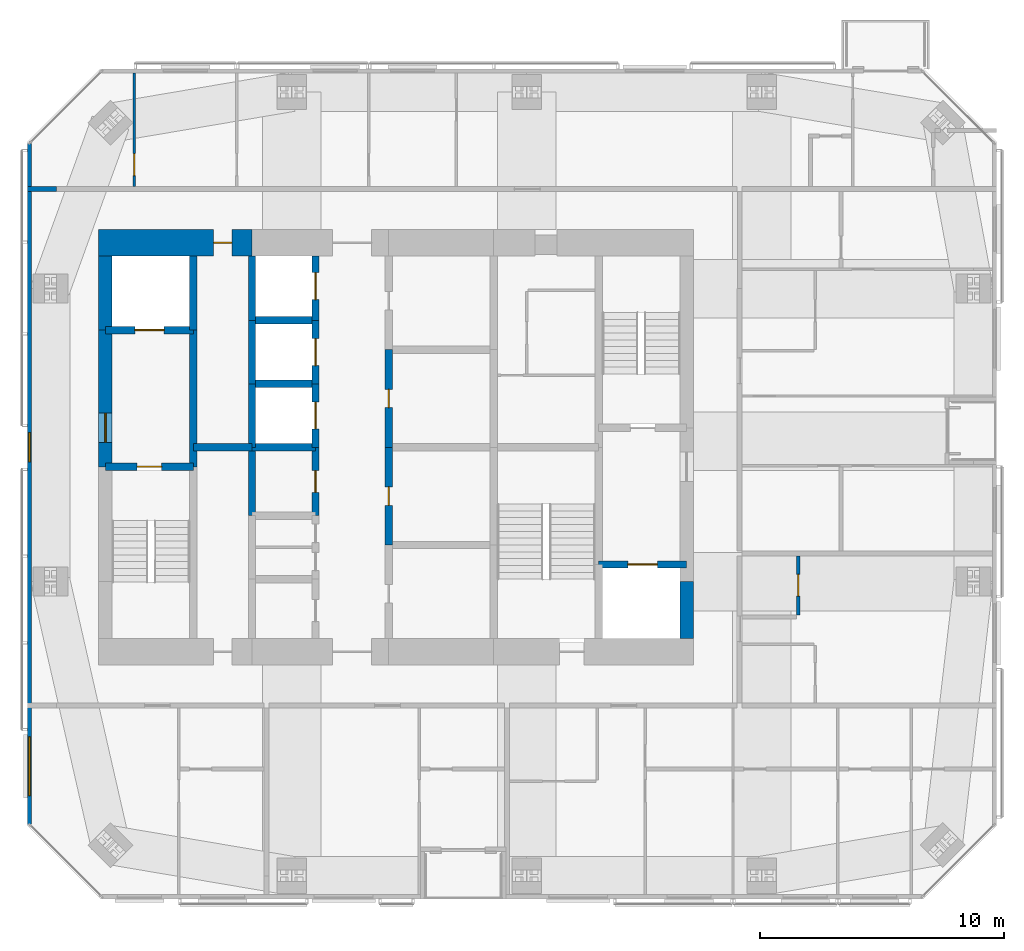
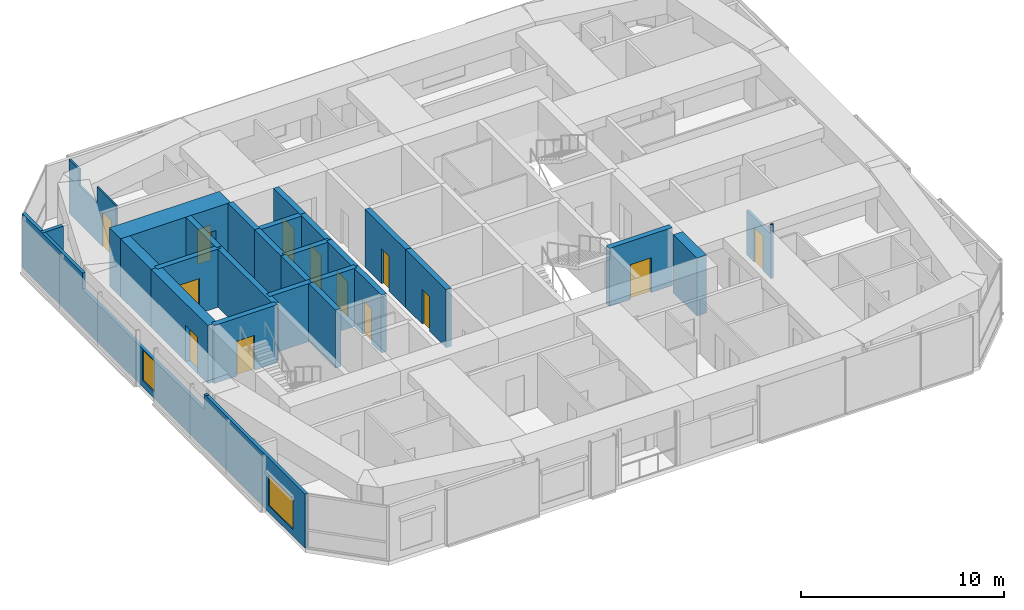
# One storey, part 16 of 20: 27 walls, 13 doors, 2 windows, 15 openings.
"""IFC4 building model written with IfcOpenShell, lengths in metres."""

from ifc_helpers import new_model, si_unit, direction, frame, frame_2d, origin, place, context, subcontext, project, spatial, polyline, rectangle, outline, extrude, material, layer, layer_set, constituent, constituent_set, type_object, element, fill, save


model = new_model("IFC4")

# Units and contexts
model_context = context("Model", 3, precision=1e-05, world=origin(), true_north=direction((0.0, 1.0)))
body_context = subcontext(model_context, "Body", "Model", "MODEL_VIEW")
ifc_project = project(units=[si_unit("LENGTHUNIT", "METRE"), si_unit("AREAUNIT", "SQUARE_METRE"), si_unit("VOLUMEUNIT", "CUBIC_METRE"), si_unit("PLANEANGLEUNIT", "RADIAN"), si_unit("MASSUNIT", "GRAM", prefix="KILO")], contexts=[model_context])

# Site, building, storey
site_placement = place(None, origin())
site = spatial("IfcSite", under=ifc_project, at=site_placement, CompositionType="ELEMENT")
building_placement = place(site_placement, origin())
building = spatial("IfcBuilding", under=site, at=building_placement, Name="Jalousie Tower", CompositionType="ELEMENT")
storey_placement = place(building_placement, frame((0.0, 0.0, 245.949951171875)))
storey = spatial("IfcBuildingStorey", under=building, at=storey_placement, Name="L67", CompositionType="ELEMENT", Elevation=245.949951171875)

# Wall, opening, door
ifc_material_1 = material(Name="Concrete block ASTM C90", Category="concrete")
ifc_constituent_1 = constituent(ifc_material_1, Name="Body")
ifc_material_2 = material(Name="Render")
ifc_constituent_2 = constituent(ifc_material_2, Name="Finish")
ifc_constituent_set_1 = constituent_set(constituents=[ifc_constituent_1, ifc_constituent_2])
wall_type_1 = type_object("IfcWallType", Name="BATHROOM WALL 150", PredefinedType="PLUMBINGWALL", material=ifc_constituent_set_1)
wall_1_placement = place(storey_placement, frame((48.375, 11.625, 0.0), z_axis=(0.0, 0.0, 1.0), x_axis=(0.0, 1.0, 0.0)))
wall_1 = element("IfcWall", 1, at=wall_1_placement, inside=storey, type_object=wall_type_1, Name="Bathroom Wall 150 L67", PredefinedType="PLUMBINGWALL", context=body_context, shape_type="SweptSolid", body=[
    extrude(outline(polyline([(0.0, 0.0), (2.425048828125, 0.0), (2.425048828125, 3.260009765625), (2.425048828125, 2.66015625), (0.090087890625, 2.66015625), (0.090087890625, 3.260009765625), (0.0, 3.260009765625), (0.0, 0.0)])), frame((0.0, 0.074951171875, 0.0), z_axis=(0.0, -1.0, 0.0), x_axis=(1.0, 0.0, 0.0)), (0.0, 0.0, 1.0), 0.14990234375),
])
opening_1_placement = place(wall_1_placement, frame((0.77490234375, 0.0, 0.0)))
opening_1 = element("IfcOpeningElement", 2, at=opening_1_placement, cuts=wall_1, Name="Opening D3", PredefinedType="OPENING", context=body_context, shape_type="SweptSolid", body=[
    extrude(rectangle(XDim=0.89990234375, YDim=2.10009765625, at=frame_2d((0.449951171875, 1.050048828125))), frame((0.0, 0.0849609375, 0.0), z_axis=(0.0, -1.0, 0.0), x_axis=(1.0, 0.0, 0.0)), (0.0, 0.0, 1.0), 0.169921875),
])
ifc_material_3 = material(Name="Timber door", Category="wood")
door_type_1 = type_object("IfcDoorType", Name="BATHROOM DOOR 900", OperationType="SINGLE_SWING_LEFT", PredefinedType="DOOR", material=ifc_material_3)
door_1_placement = place(opening_1_placement, origin())
door_1 = element("IfcDoor", 3, at=door_1_placement, inside=storey, type_object=door_type_1, Name="Apartment 6705 bathroom door", OperationType="SINGLE_SWING_RIGHT", OverallHeight=2.10009765625, OverallWidth=0.89990234375, PredefinedType="DOOR", context=body_context, shape_type="SweptSolid", body=[
    extrude(rectangle(XDim=0.89990234375, YDim=2.10009765625, at=frame_2d((0.449951171875, 1.050048828125))), frame((0.0, 0.02490234375, 0.0), z_axis=(0.0, -1.0, 0.0), x_axis=(1.0, 0.0, 0.0)), (0.0, 0.0, 1.0), 0.050048828125),
])
fill(opening_1, door_1)

ifc_material_4 = material(Name="Concrete f'c 120 MPa", Category="concrete")
ifc_layer_1 = layer(ifc_material_4, 1.10009765625)
ifc_layer_set_1 = layer_set([ifc_layer_1], Name="Concrete f'c 120 MPa")
wall_type_2 = type_object("IfcWallType", Name="CORE WALL 1100", PredefinedType="SHEAR", material=ifc_layer_set_1)
wall_2_placement = place(storey_placement, frame((26.0, 26.875, 0.0), z_axis=(0.0, 0.0, 1.0), x_axis=(-1.0, 0.0, 0.0)))
wall_2 = element("IfcWall", 4, at=wall_2_placement, inside=storey, type_object=wall_type_2, Name="Core wall ND L67", PredefinedType="SHEAR", context=body_context, shape_type="SweptSolid", body=[
    extrude(rectangle(XDim=6.27490234375, YDim=1.10009765625, at=frame_2d((3.137451171875, 0.0))), origin(), (0.0, 0.0, 1.0), 3.5),
])
opening_2_placement = place(wall_2_placement, frame((0.824951171875, 0.0, 0.0)))
opening_2 = element("IfcOpeningElement", 5, at=opening_2_placement, cuts=wall_2, Name="Opening D16", PredefinedType="OPENING", context=body_context, shape_type="SweptSolid", body=[
    extrude(rectangle(XDim=0.75, YDim=2.10009765625, at=frame_2d((0.375, 1.050048828125))), frame((0.0, 0.56005859375, 0.0), z_axis=(0.0, -1.0, 0.0), x_axis=(1.0, 0.0, 0.0)), (0.0, 0.0, 1.0), 1.1201171875),
])
ifc_material_5 = material(Name="Steel fire door", Category="steel")
door_type_2 = type_object("IfcDoorType", Name="RISER DOOR 750", OperationType="SINGLE_SWING_LEFT", PredefinedType="DOOR", material=ifc_material_5)
door_2_placement = place(opening_2_placement, origin())
door_2 = element("IfcDoor", 6, at=door_2_placement, inside=storey, type_object=door_type_2, Name="North riser door", OperationType="SINGLE_SWING_RIGHT", OverallHeight=2.10009765625, OverallWidth=0.75, PredefinedType="DOOR", context=body_context, shape_type="SweptSolid", body=[
    extrude(rectangle(XDim=0.75, YDim=2.10009765625, at=frame_2d((0.375, 1.050048828125))), frame((0.0, 0.02490234375, 0.0), z_axis=(0.0, -1.0, 0.0), x_axis=(1.0, 0.0, 0.0)), (0.0, 0.0, 1.0), 0.050048828125),
])
fill(opening_2, door_2)

# Walls
ifc_material_6 = material(Name="Concrete f'c 120 MPa", Category="concrete")
ifc_layer_2 = layer(ifc_material_6, 0.300048828125)
ifc_layer_set_2 = layer_set([ifc_layer_2], Name="Concrete f'c 120 MPa")
wall_type_3 = type_object("IfcWallType", Name="CORE WALL 300", PredefinedType="SHEAR", material=ifc_layer_set_2)
wall_3_placement = place(storey_placement, frame((23.60009765625, 17.699951171875, 0.0), z_axis=(0.0, 0.0, 1.0), x_axis=(0.0, 1.0, 0.0)))
element("IfcWall", 7, at=wall_3_placement, inside=storey, type_object=wall_type_3, Name="Core wall X23.6B L67", PredefinedType="SHEAR", context=body_context, shape_type="SweptSolid", body=[
    extrude(rectangle(XDim=5.60009765625, YDim=0.300048828125, at=frame_2d((2.800048828125, 0.0))), origin(), (0.0, 0.0, 1.0), 3.5),
])
wall_4_placement = place(storey_placement, frame((23.60009765625, 23.300048828125, 0.0), z_axis=(0.0, 0.0, 1.0), x_axis=(0.0, 1.0, 0.0)))
element("IfcWall", 8, at=wall_4_placement, inside=storey, type_object=wall_type_3, Name="Core wall X23.6C L67", PredefinedType="SHEAR", context=body_context, shape_type="SweptSolid", body=[
    extrude(rectangle(XDim=3.02490234375, YDim=0.300048828125, at=frame_2d((1.512451171875, 0.0))), origin(), (0.0, 0.0, 1.0), 3.5),
])
wall_5_placement = place(storey_placement, frame((26.0, 15.699951171875, 0.0), z_axis=(0.0, 0.0, 1.0), x_axis=(0.0, 1.0, 0.0)))
element("IfcWall", 9, at=wall_5_placement, inside=storey, type_object=wall_type_3, Name="Core wall X26C L67", PredefinedType="SHEAR", context=body_context, shape_type="SweptSolid", body=[
    extrude(rectangle(XDim=2.800048828125, YDim=0.300048828125, at=frame_2d((1.39990234375, 0.0))), origin(), (0.0, 0.0, 1.0), 3.5),
])
wall_6_placement = place(storey_placement, frame((26.0, 18.5, 0.0), z_axis=(0.0, 0.0, 1.0), x_axis=(0.0, 1.0, 0.0)))
element("IfcWall", 10, at=wall_6_placement, inside=storey, type_object=wall_type_3, Name="Core wall X26D L67", PredefinedType="SHEAR", context=body_context, shape_type="SweptSolid", body=[
    extrude(rectangle(XDim=2.60009765625, YDim=0.300048828125, at=frame_2d((1.300048828125, 0.0))), origin(), (0.0, 0.0, 1.0), 3.5),
])
wall_7_placement = place(storey_placement, frame((26.0, 21.10009765625, 0.0), z_axis=(0.0, 0.0, 1.0), x_axis=(0.0, 1.0, 0.0)))
element("IfcWall", 11, at=wall_7_placement, inside=storey, type_object=wall_type_3, Name="Core wall X26E L67", PredefinedType="SHEAR", context=body_context, shape_type="SweptSolid", body=[
    extrude(rectangle(XDim=2.599853515625, YDim=0.300048828125, at=frame_2d((1.2998046875, 0.0))), origin(), (0.0, 0.0, 1.0), 3.5),
])
wall_8_placement = place(storey_placement, frame((26.0, 23.699951171875, 0.0), z_axis=(0.0, 0.0, 1.0), x_axis=(0.0, 1.0, 0.0)))
element("IfcWall", 12, at=wall_8_placement, inside=storey, type_object=wall_type_3, Name="Core wall X26F L67", PredefinedType="SHEAR", context=body_context, shape_type="SweptSolid", body=[
    extrude(rectangle(XDim=2.625, YDim=0.300048828125, at=frame_2d((1.3125, 0.0))), origin(), (0.0, 0.0, 1.0), 3.5),
])

# Wall, opening, door
wall_9_placement = place(storey_placement, frame((28.60009765625, 15.699951171875, 0.0), z_axis=(0.0, 0.0, 1.0), x_axis=(0.0, 1.0, 0.0)))
wall_9 = element("IfcWall", 13, at=wall_9_placement, inside=storey, type_object=wall_type_3, Name="Core wall X28.6C L67", PredefinedType="SHEAR", context=body_context, shape_type="SweptSolid", body=[
    extrude(rectangle(XDim=2.800048828125, YDim=0.300048828125, at=frame_2d((1.39990234375, 0.0))), origin(), (0.0, 0.0, 1.0), 3.5),
])
opening_3_placement = place(wall_9_placement, frame((0.949951171875, 0.0, 0.0)))
opening_3 = element("IfcOpeningElement", 14, at=opening_3_placement, cuts=wall_9, Name="Opening D24", PredefinedType="OPENING", context=body_context, shape_type="SweptSolid", body=[
    extrude(rectangle(XDim=0.89990234375, YDim=2.10009765625, at=frame_2d((0.449951171875, 1.050048828125))), frame((0.0, 0.159912109375, 0.0), z_axis=(0.0, -1.0, 0.0), x_axis=(1.0, 0.0, 0.0)), (0.0, 0.0, 1.0), 0.320068359375),
])
ifc_material_7 = material(Name="Steel fire door", Category="steel")
door_type_3 = type_object("IfcDoorType", Name="CORE ROOM DOOR 900", OperationType="SINGLE_SWING_LEFT", PredefinedType="DOOR", material=ifc_material_7)
door_3_placement = place(opening_3_placement, origin())
door_3 = element("IfcDoor", 15, at=door_3_placement, inside=storey, type_object=door_type_3, Name="IT room door", OperationType="SINGLE_SWING_LEFT", OverallHeight=2.10009765625, OverallWidth=0.89990234375, PredefinedType="DOOR", context=body_context, shape_type="SweptSolid", body=[
    extrude(rectangle(XDim=0.89990234375, YDim=2.10009765625, at=frame_2d((0.449951171875, 1.050048828125))), frame((0.0, 0.02490234375, 0.0), z_axis=(0.0, -1.0, 0.0), x_axis=(1.0, 0.0, 0.0)), (0.0, 0.0, 1.0), 0.050048828125),
])
fill(opening_3, door_3)

wall_10_placement = place(storey_placement, frame((28.60009765625, 18.5, 0.0), z_axis=(0.0, 0.0, 1.0), x_axis=(0.0, 1.0, 0.0)))
wall_10 = element("IfcWall", 16, at=wall_10_placement, inside=storey, type_object=wall_type_3, Name="Core wall X28.6D L67", PredefinedType="SHEAR", context=body_context, shape_type="SweptSolid", body=[
    extrude(rectangle(XDim=2.60009765625, YDim=0.300048828125, at=frame_2d((1.300048828125, 0.0))), origin(), (0.0, 0.0, 1.0), 3.5),
])
opening_4_placement = place(wall_10_placement, frame((0.75, 0.0, 0.0)))
opening_4 = element("IfcOpeningElement", 17, at=opening_4_placement, cuts=wall_10, Name="Opening LD1", PredefinedType="OPENING", context=body_context, shape_type="SweptSolid", body=[
    extrude(rectangle(XDim=1.10009765625, YDim=2.10009765625, at=frame_2d((0.550048828125, 1.050048828125))), frame((0.0, 0.159912109375, 0.0), z_axis=(0.0, -1.0, 0.0), x_axis=(1.0, 0.0, 0.0)), (0.0, 0.0, 1.0), 0.320068359375),
])
ifc_material_8 = material(Name="Steel lift landing door", Category="steel")
door_type_4 = type_object("IfcDoorType", Name="LIFT LANDING DOOR 1100", OperationType="SLIDING_TO_LEFT", PredefinedType="DOOR", material=ifc_material_8)
door_4_placement = place(opening_4_placement, origin())
door_4 = element("IfcDoor", 18, at=door_4_placement, inside=storey, type_object=door_type_4, Name="Lift P4 landing door", OperationType="SLIDING_TO_LEFT", OverallHeight=2.10009765625, OverallWidth=1.10009765625, PredefinedType="DOOR", context=body_context, shape_type="SweptSolid", body=[
    extrude(rectangle(XDim=1.10009765625, YDim=2.10009765625, at=frame_2d((0.550048828125, 1.050048828125))), frame((0.0, 0.02490234375, 0.0), z_axis=(0.0, -1.0, 0.0), x_axis=(1.0, 0.0, 0.0)), (0.0, 0.0, 1.0), 0.050048828125),
])
fill(opening_4, door_4)

wall_11_placement = place(storey_placement, frame((28.60009765625, 21.10009765625, 0.0), z_axis=(0.0, 0.0, 1.0), x_axis=(0.0, 1.0, 0.0)))
wall_11 = element("IfcWall", 19, at=wall_11_placement, inside=storey, type_object=wall_type_3, Name="Core wall X28.6E L67", PredefinedType="SHEAR", context=body_context, shape_type="SweptSolid", body=[
    extrude(rectangle(XDim=2.599853515625, YDim=0.300048828125, at=frame_2d((1.2998046875, 0.0))), origin(), (0.0, 0.0, 1.0), 3.5),
])
opening_5_placement = place(wall_11_placement, frame((0.75, 0.0, 0.0)))
opening_5 = element("IfcOpeningElement", 20, at=opening_5_placement, cuts=wall_11, Name="Opening LD1", PredefinedType="OPENING", context=body_context, shape_type="SweptSolid", body=[
    extrude(rectangle(XDim=1.10009765625, YDim=2.10009765625, at=frame_2d((0.550048828125, 1.050048828125))), frame((0.0, 0.159912109375, 0.0), z_axis=(0.0, -1.0, 0.0), x_axis=(1.0, 0.0, 0.0)), (0.0, 0.0, 1.0), 0.320068359375),
])
door_5_placement = place(opening_5_placement, origin())
door_5 = element("IfcDoor", 21, at=door_5_placement, inside=storey, type_object=door_type_4, Name="Lift P5 landing door", OperationType="SLIDING_TO_LEFT", OverallHeight=2.10009765625, OverallWidth=1.10009765625, PredefinedType="DOOR", context=body_context, shape_type="SweptSolid", body=[
    extrude(rectangle(XDim=1.10009765625, YDim=2.10009765625, at=frame_2d((0.550048828125, 1.050048828125))), frame((0.0, 0.02490234375, 0.0), z_axis=(0.0, -1.0, 0.0), x_axis=(1.0, 0.0, 0.0)), (0.0, 0.0, 1.0), 0.050048828125),
])
fill(opening_5, door_5)

wall_12_placement = place(storey_placement, frame((28.60009765625, 23.699951171875, 0.0), z_axis=(0.0, 0.0, 1.0), x_axis=(0.0, 1.0, 0.0)))
wall_12 = element("IfcWall", 22, at=wall_12_placement, inside=storey, type_object=wall_type_3, Name="Core wall X28.6F L67", PredefinedType="SHEAR", context=body_context, shape_type="SweptSolid", body=[
    extrude(rectangle(XDim=2.625, YDim=0.300048828125, at=frame_2d((1.3125, 0.0))), origin(), (0.0, 0.0, 1.0), 3.5),
])
opening_6_placement = place(wall_12_placement, frame((0.85009765625, 0.0, 0.0)))
opening_6 = element("IfcOpeningElement", 23, at=opening_6_placement, cuts=wall_12, Name="Opening LD1", PredefinedType="OPENING", context=body_context, shape_type="SweptSolid", body=[
    extrude(rectangle(XDim=1.10009765625, YDim=2.10009765625, at=frame_2d((0.550048828125, 1.050048828125))), frame((0.0, 0.159912109375, 0.0), z_axis=(0.0, -1.0, 0.0), x_axis=(1.0, 0.0, 0.0)), (0.0, 0.0, 1.0), 0.320068359375),
])
door_6_placement = place(opening_6_placement, origin())
door_6 = element("IfcDoor", 24, at=door_6_placement, inside=storey, type_object=door_type_4, Name="Lift P6 landing door", OperationType="SLIDING_TO_LEFT", OverallHeight=2.10009765625, OverallWidth=1.10009765625, PredefinedType="DOOR", context=body_context, shape_type="SweptSolid", body=[
    extrude(rectangle(XDim=1.10009765625, YDim=2.10009765625, at=frame_2d((0.550048828125, 1.050048828125))), frame((0.0, 0.02490234375, 0.0), z_axis=(0.0, -1.0, 0.0), x_axis=(1.0, 0.0, 0.0)), (0.0, 0.0, 1.0), 0.050048828125),
])
fill(opening_6, door_6)

wall_13_placement = place(storey_placement, frame((31.60009765625, 14.5, 0.0), z_axis=(0.0, 0.0, 1.0), x_axis=(0.0, 1.0, 0.0)))
wall_13 = element("IfcWall", 25, at=wall_13_placement, inside=storey, type_object=wall_type_3, Name="Core wall X31.6B L67", PredefinedType="SHEAR", context=body_context, shape_type="SweptSolid", body=[
    extrude(rectangle(XDim=4.0, YDim=0.300048828125, at=frame_2d((2.0, 0.0))), origin(), (0.0, 0.0, 1.0), 3.5),
])
opening_7_placement = place(wall_13_placement, frame((1.625, 0.0, 0.0)))
opening_7 = element("IfcOpeningElement", 26, at=opening_7_placement, cuts=wall_13, Name="Opening D16", PredefinedType="OPENING", context=body_context, shape_type="SweptSolid", body=[
    extrude(rectangle(XDim=0.75, YDim=2.10009765625, at=frame_2d((0.375, 1.050048828125))), frame((0.0, 0.159912109375, 0.0), z_axis=(0.0, -1.0, 0.0), x_axis=(1.0, 0.0, 0.0)), (0.0, 0.0, 1.0), 0.320068359375),
])
door_7_placement = place(opening_7_placement, frame((0.75, 0.0, 0.0), z_axis=(0.0, 0.0, 1.0), x_axis=(-1.0, 0.0, 0.0)))
door_7 = element("IfcDoor", 27, at=door_7_placement, inside=storey, type_object=door_type_2, Name="Electrical Room door", OperationType="SINGLE_SWING_RIGHT", OverallHeight=2.10009765625, OverallWidth=0.75, PredefinedType="DOOR", context=body_context, shape_type="SweptSolid", body=[
    extrude(rectangle(XDim=0.75, YDim=2.10009765625, at=frame_2d((0.375, 1.050048828125))), frame((0.0, 0.02490234375, 0.0), z_axis=(0.0, -1.0, 0.0), x_axis=(1.0, 0.0, 0.0)), (0.0, 0.0, 1.0), 0.050048828125),
])
fill(opening_7, door_7)

wall_14_placement = place(storey_placement, frame((31.60009765625, 18.5, 0.0), z_axis=(0.0, 0.0, 1.0), x_axis=(0.0, 1.0, 0.0)))
wall_14 = element("IfcWall", 28, at=wall_14_placement, inside=storey, type_object=wall_type_3, Name="Core wall X31.6C L67", PredefinedType="SHEAR", context=body_context, shape_type="SweptSolid", body=[
    extrude(rectangle(XDim=4.0, YDim=0.300048828125, at=frame_2d((2.0, 0.0))), origin(), (0.0, 0.0, 1.0), 3.5),
])
opening_8_placement = place(wall_14_placement, frame((1.625, 0.0, 0.0)))
opening_8 = element("IfcOpeningElement", 29, at=opening_8_placement, cuts=wall_14, Name="Opening D16", PredefinedType="OPENING", context=body_context, shape_type="SweptSolid", body=[
    extrude(rectangle(XDim=0.75, YDim=2.10009765625, at=frame_2d((0.375, 1.050048828125))), frame((0.0, 0.159912109375, 0.0), z_axis=(0.0, -1.0, 0.0), x_axis=(1.0, 0.0, 0.0)), (0.0, 0.0, 1.0), 0.320068359375),
])
door_8_placement = place(opening_8_placement, frame((0.75, 0.0, 0.0), z_axis=(0.0, 0.0, 1.0), x_axis=(-1.0, 0.0, 0.0)))
door_8 = element("IfcDoor", 30, at=door_8_placement, inside=storey, type_object=door_type_2, Name="Telecom Room door", OperationType="SINGLE_SWING_RIGHT", OverallHeight=2.10009765625, OverallWidth=0.75, PredefinedType="DOOR", context=body_context, shape_type="SweptSolid", body=[
    extrude(rectangle(XDim=0.75, YDim=2.10009765625, at=frame_2d((0.375, 1.050048828125))), frame((0.0, 0.02490234375, 0.0), z_axis=(0.0, -1.0, 0.0), x_axis=(1.0, 0.0, 0.0)), (0.0, 0.0, 1.0), 0.050048828125),
])
fill(opening_8, door_8)

wall_15_placement = place(storey_placement, frame((20.0, 17.699951171875, 0.0), z_axis=(0.0, 0.0, 1.0), x_axis=(1.0, 0.0, 0.0)))
wall_15 = element("IfcWall", 31, at=wall_15_placement, inside=storey, type_object=wall_type_3, Name="Core wall Y20-17.7 L67", PredefinedType="SHEAR", context=body_context, shape_type="SweptSolid", body=[
    extrude(rectangle(XDim=3.60009765625, YDim=0.300048828125, at=frame_2d((1.800048828125, 0.0))), origin(), (0.0, 0.0, 1.0), 3.5),
])
opening_9_placement = place(wall_15_placement, frame((1.300048828125, 0.0, 0.0)))
opening_9 = element("IfcOpeningElement", 32, at=opening_9_placement, cuts=wall_15, Name="Opening D10", PredefinedType="OPENING", context=body_context, shape_type="SweptSolid", body=[
    extrude(rectangle(XDim=1.0, YDim=2.10009765625, at=frame_2d((0.5, 1.050048828125))), frame((0.0, 0.159912109375, 0.0), z_axis=(0.0, -1.0, 0.0), x_axis=(1.0, 0.0, 0.0)), (0.0, 0.0, 1.0), 0.320068359375),
])
ifc_material_9 = material(Name="Steel fire door", Category="steel")
door_type_5 = type_object("IfcDoorType", Name="STAIR DOOR 1000", OperationType="SINGLE_SWING_LEFT", PredefinedType="DOOR", material=ifc_material_9)
door_9_placement = place(opening_9_placement, frame((1.0, 0.0, 0.0), z_axis=(0.0, 0.0, 1.0), x_axis=(-1.0, 0.0, 0.0)))
door_9 = element("IfcDoor", 33, at=door_9_placement, inside=storey, type_object=door_type_5, Name="Exit stair A door", OperationType="SINGLE_SWING_RIGHT", OverallHeight=2.10009765625, OverallWidth=1.0, PredefinedType="DOOR", context=body_context, shape_type="SweptSolid", body=[
    extrude(rectangle(XDim=1.0, YDim=2.10009765625, at=frame_2d((0.5, 1.050048828125))), frame((0.0, 0.02490234375, 0.0), z_axis=(0.0, -1.0, 0.0), x_axis=(1.0, 0.0, 0.0)), (0.0, 0.0, 1.0), 0.050048828125),
])
fill(opening_9, door_9)

wall_16_placement = place(storey_placement, frame((20.0, 23.300048828125, 0.0), z_axis=(0.0, 0.0, 1.0), x_axis=(1.0, 0.0, 0.0)))
wall_16 = element("IfcWall", 34, at=wall_16_placement, inside=storey, type_object=wall_type_3, Name="Core wall Y20-23.3 L67", PredefinedType="SHEAR", context=body_context, shape_type="SweptSolid", body=[
    extrude(rectangle(XDim=3.60009765625, YDim=0.300048828125, at=frame_2d((1.800048828125, 0.0))), origin(), (0.0, 0.0, 1.0), 3.5),
])
opening_10_placement = place(wall_16_placement, frame((1.199951171875, 0.0, 0.0)))
opening_10 = element("IfcOpeningElement", 35, at=opening_10_placement, cuts=wall_16, Name="Opening LD2", PredefinedType="OPENING", context=body_context, shape_type="SweptSolid", body=[
    extrude(rectangle(XDim=1.199951171875, YDim=2.10009765625, at=frame_2d((0.60009765625, 1.050048828125))), frame((0.0, 0.159912109375, 0.0), z_axis=(0.0, -1.0, 0.0), x_axis=(1.0, 0.0, 0.0)), (0.0, 0.0, 1.0), 0.320068359375),
])
ifc_material_10 = material(Name="Steel lift landing door", Category="steel")
door_type_6 = type_object("IfcDoorType", Name="LIFT LANDING DOOR 1200", OperationType="SLIDING_TO_LEFT", PredefinedType="DOOR", material=ifc_material_10)
door_10_placement = place(opening_10_placement, origin())
door_10 = element("IfcDoor", 36, at=door_10_placement, inside=storey, type_object=door_type_6, Name="Lift F1 landing door", OperationType="SLIDING_TO_LEFT", OverallHeight=2.10009765625, OverallWidth=1.199951171875, PredefinedType="DOOR", context=body_context, shape_type="SweptSolid", body=[
    extrude(rectangle(XDim=1.199951171875, YDim=2.10009765625, at=frame_2d((0.60009765625, 1.050048828125))), frame((0.0, 0.02490234375, 0.0), z_axis=(0.0, -1.0, 0.0), x_axis=(1.0, 0.0, 0.0)), (0.0, 0.0, 1.0), 0.050048828125),
])
fill(opening_10, door_10)

# Walls
wall_17_placement = place(storey_placement, frame((23.60009765625, 18.5, 0.0), z_axis=(0.0, 0.0, 1.0), x_axis=(1.0, 0.0, 0.0)))
element("IfcWall", 37, at=wall_17_placement, inside=storey, type_object=wall_type_3, Name="Core wall Y23.6-18.5 L67", PredefinedType="SHEAR", context=body_context, shape_type="SweptSolid", body=[
    extrude(rectangle(XDim=2.39990234375, YDim=0.300048828125, at=frame_2d((1.199951171875, 0.0))), origin(), (0.0, 0.0, 1.0), 3.5),
])
for number, where, z_axis, x_axis, name in (
    (38, (26.0, 18.5, 0.0), (0.0, 0.0, 1.0), (1.0, 0.0, 0.0), "Core wall Y26-18.5 L67"),
    (39, (26.0, 21.10009765625, 0.0), (0.0, 0.0, 1.0), (1.0, 0.0, 0.0), "Core wall Y26-21.1 L67"),
    (40, (26.0, 23.699951171875, 0.0), (0.0, 0.0, 1.0), (1.0, 0.0, 0.0), "Core wall Y26-23.7 L67"),
):
    element("IfcWall", number, at=place(storey_placement, frame(where, z_axis=z_axis, x_axis=x_axis)), inside=storey, type_object=wall_type_3, Name=name, PredefinedType="SHEAR", context=body_context, shape_type="SweptSolid", body=[
        extrude(rectangle(XDim=2.60009765625, YDim=0.300048828125, at=frame_2d((1.300048828125, 0.0))), origin(), (0.0, 0.0, 1.0), 3.5),
    ])

# Wall, opening, door
wall_18_placement = place(storey_placement, frame((40.199951171875, 13.699951171875, 0.0), z_axis=(0.0, 0.0, 1.0), x_axis=(1.0, 0.0, 0.0)))
wall_18 = element("IfcWall", 41, at=wall_18_placement, inside=storey, type_object=wall_type_3, Name="Core wall Y40.2-13.7 L67", PredefinedType="SHEAR", context=body_context, shape_type="SweptSolid", body=[
    extrude(rectangle(XDim=3.60009765625, YDim=0.300048828125, at=frame_2d((1.800048828125, 0.0))), origin(), (0.0, 0.0, 1.0), 3.5),
])
opening_11_placement = place(wall_18_placement, frame((1.199951171875, 0.0, 0.0)))
opening_11 = element("IfcOpeningElement", 42, at=opening_11_placement, cuts=wall_18, Name="Opening LD2", PredefinedType="OPENING", context=body_context, shape_type="SweptSolid", body=[
    extrude(rectangle(XDim=1.199951171875, YDim=2.10009765625, at=frame_2d((0.60009765625, 1.050048828125))), frame((0.0, 0.159912109375, 0.0), z_axis=(0.0, -1.0, 0.0), x_axis=(1.0, 0.0, 0.0)), (0.0, 0.0, 1.0), 0.320068359375),
])
door_11_placement = place(opening_11_placement, origin())
door_11 = element("IfcDoor", 43, at=door_11_placement, inside=storey, type_object=door_type_6, Name="Lift F2 landing door", OperationType="SLIDING_TO_LEFT", OverallHeight=2.10009765625, OverallWidth=1.199951171875, PredefinedType="DOOR", context=body_context, shape_type="SweptSolid", body=[
    extrude(rectangle(XDim=1.199951171875, YDim=2.10009765625, at=frame_2d((0.60009765625, 1.050048828125))), frame((0.0, 0.02490234375, 0.0), z_axis=(0.0, -1.0, 0.0), x_axis=(1.0, 0.0, 0.0)), (0.0, 0.0, 1.0), 0.050048828125),
])
fill(opening_11, door_11)

# Wall
ifc_material_11 = material(Name="Concrete f'c 120 MPa", Category="concrete")
ifc_layer_3 = layer(ifc_material_11, 0.550048828125)
ifc_layer_set_3 = layer_set([ifc_layer_3], Name="Concrete f'c 120 MPa")
wall_type_4 = type_object("IfcWallType", Name="CORE WALL 550", PredefinedType="SHEAR", material=ifc_layer_set_3)
wall_19_placement = place(storey_placement, frame((20.0, 26.324951171875, 0.0), z_axis=(0.0, 0.0, 1.0), x_axis=(0.0, -1.0, 0.0)))
element("IfcWall", 44, at=wall_19_placement, inside=storey, type_object=wall_type_4, Name="Core wall WA L67", PredefinedType="SHEAR", context=body_context, shape_type="SweptSolid", body=[
    extrude(rectangle(XDim=3.02490234375, YDim=0.550048828125, at=frame_2d((1.512451171875, 0.0))), origin(), (0.0, 0.0, 1.0), 3.5),
])

# Wall, opening, door
wall_20_placement = place(storey_placement, frame((20.0, 23.300048828125, 0.0), z_axis=(0.0, 0.0, 1.0), x_axis=(0.0, -1.0, 0.0)))
wall_20 = element("IfcWall", 45, at=wall_20_placement, inside=storey, type_object=wall_type_4, Name="Core wall WB L67", PredefinedType="SHEAR", context=body_context, shape_type="SweptSolid", body=[
    extrude(rectangle(XDim=5.60009765625, YDim=0.550048828125, at=frame_2d((2.800048828125, 0.0))), origin(), (0.0, 0.0, 1.0), 3.5),
])
opening_12_placement = place(wall_20_placement, frame((3.39990234375, 0.0, 0.0)))
opening_12 = element("IfcOpeningElement", 46, at=opening_12_placement, cuts=wall_20, Name="Opening D11", PredefinedType="OPENING", context=body_context, shape_type="SweptSolid", body=[
    extrude(rectangle(XDim=1.199951171875, YDim=2.199951171875, at=frame_2d((0.60009765625, 1.10009765625))), frame((0.0, 0.284912109375, 0.0), z_axis=(0.0, -1.0, 0.0), x_axis=(1.0, 0.0, 0.0)), (0.0, 0.0, 1.0), 0.570068359375),
])
ifc_material_12 = material(Name="Steel fire door", Category="steel")
door_type_7 = type_object("IfcDoorType", Name="FIRE DOOR 1200", OperationType="SINGLE_SWING_LEFT", PredefinedType="DOOR", material=ifc_material_12)
door_12_placement = place(opening_12_placement, origin())
door_12 = element("IfcDoor", 47, at=door_12_placement, inside=storey, type_object=door_type_7, Name="Fire-fighting lobby A door", OperationType="SINGLE_SWING_RIGHT", OverallHeight=2.199951171875, OverallWidth=1.199951171875, PredefinedType="DOOR", context=body_context, shape_type="SweptSolid", body=[
    extrude(rectangle(XDim=1.199951171875, YDim=2.199951171875, at=frame_2d((0.60009765625, 1.10009765625))), frame((0.0, 0.02490234375, 0.0), z_axis=(0.0, -1.0, 0.0), x_axis=(1.0, 0.0, 0.0)), (0.0, 0.0, 1.0), 0.050048828125),
])
fill(opening_12, door_12)

# Wall
wall_21_placement = place(storey_placement, frame((43.800048828125, 10.675048828125, 0.0), z_axis=(0.0, 0.0, 1.0), x_axis=(0.0, 1.0, 0.0)))
element("IfcWall", 48, at=wall_21_placement, inside=storey, type_object=wall_type_4, Name="Core wall EA L67", PredefinedType="SHEAR", context=body_context, shape_type="SweptSolid", body=[
    extrude(rectangle(XDim=2.324951171875, YDim=0.550048828125, at=frame_2d((1.16259765625, 0.0))), origin(), (0.0, 0.0, 1.0), 3.5),
])

# Wall, openings, windows
ifc_material_13 = material(Name="Concrete f'c 40 MPa", Category="concrete")
ifc_constituent_3 = constituent(ifc_material_13, Name="Body")
ifc_material_14 = material(Name="Render, pastel sky blue")
ifc_constituent_4 = constituent(ifc_material_14, Name="Finish")
ifc_constituent_set_2 = constituent_set(constituents=[ifc_constituent_3, ifc_constituent_4])
wall_type_5 = type_object("IfcWallType", Name="EXTERNAL WALL 175 SKY BLUE RENDER", PredefinedType="SOLIDWALL", material=ifc_constituent_set_2)
wall_22_placement = place(storey_placement, frame((16.887451171875, 30.94873046875, 0.0), z_axis=(0.0, 0.0, 1.0), x_axis=(0.0, -1.0, 0.0)))
wall_22 = element("IfcWall", 49, at=wall_22_placement, inside=storey, type_object=wall_type_5, Name="External Wall 175 Sky Blue Render L67", PredefinedType="SOLIDWALL", context=body_context, shape_type="SweptSolid", body=[
    extrude(outline(polyline([(0.0, 0.0), (27.8974609375, 0.0), (27.8974609375, 3.260009765625), (18.1484375, 3.260009765625), (18.1484375, 2.300048828125), (18.125, 2.300048828125), (18.125, 3.260009765625), (17.94873046875, 3.260009765625), (17.94873046875, 2.300048828125), (5.94873046875, 2.300048828125), (5.94873046875, 3.260009765625), (0.0, 3.260009765625), (0.0, 0.0)])), frame((0.0, 0.08740234375, 0.0), z_axis=(0.0, -1.0, 0.0), x_axis=(1.0, 0.0, 0.0)), (0.0, 0.0, 1.0), 0.175048828125),
])
opening_13_placement = place(wall_22_placement, frame((11.8486328125, 0.0, 0.39990234375)))
opening_13 = element("IfcOpeningElement", 50, at=opening_13_placement, cuts=wall_22, Name="Opening W-COR185", PredefinedType="OPENING", context=body_context, shape_type="SweptSolid", body=[
    extrude(rectangle(XDim=1.199951171875, YDim=1.85009765625, at=frame_2d((0.60009765625, 0.925048828125))), frame((0.0, 0.097412109375, 0.0), z_axis=(0.0, -1.0, 0.0), x_axis=(1.0, 0.0, 0.0)), (0.0, 0.0, 1.0), 0.195068359375),
])
opening_14_placement = place(wall_22_placement, frame((24.310546875, 0.0, 0.39990234375)))
opening_14 = element("IfcOpeningElement", 51, at=opening_14_placement, cuts=wall_22, Name="Opening W-LIV185", PredefinedType="OPENING", context=body_context, shape_type="SweptSolid", body=[
    extrude(rectangle(XDim=2.39990234375, YDim=1.85009765625, at=frame_2d((1.199951171875, 0.925048828125))), frame((0.0, 0.097412109375, 0.0), z_axis=(0.0, -1.0, 0.0), x_axis=(1.0, 0.0, 0.0)), (0.0, 0.0, 1.0), 0.195068359375),
])
ifc_material_15 = material(Name="Aluminium frame, impact-rated glazing", Category="aluminium")
window_type_1 = type_object("IfcWindowType", Name="WINDOW COR 1200x1850", PartitioningType="SINGLE_PANEL", PredefinedType="WINDOW", material=ifc_material_15)
window_1_placement = place(opening_13_placement, origin())
window_1 = element("IfcWindow", 52, at=window_1_placement, inside=storey, type_object=window_type_1, Name="Corridor window", OverallHeight=1.85009765625, OverallWidth=1.199951171875, PartitioningType="SINGLE_PANEL", PredefinedType="WINDOW", context=body_context, shape_type="SweptSolid", body=[
    extrude(rectangle(XDim=1.199951171875, YDim=1.85009765625, at=frame_2d((0.60009765625, 0.925048828125))), frame((0.0, 0.030029296875, 0.0), z_axis=(0.0, -1.0, 0.0), x_axis=(1.0, 0.0, 0.0)), (0.0, 0.0, 1.0), 0.06005859375),
])
fill(opening_13, window_1)
ifc_material_16 = material(Name="Aluminium frame, impact-rated glazing", Category="aluminium")
window_type_2 = type_object("IfcWindowType", Name="WINDOW LIV 2400x1850", PartitioningType="DOUBLE_PANEL_VERTICAL", PredefinedType="WINDOW", material=ifc_material_16)
window_2_placement = place(opening_14_placement, origin())
window_2 = element("IfcWindow", 53, at=window_2_placement, inside=storey, type_object=window_type_2, Name="Apartment 6701 living, dining and kitchen window", OverallHeight=1.85009765625, OverallWidth=2.39990234375, PartitioningType="SINGLE_PANEL", PredefinedType="WINDOW", context=body_context, shape_type="SweptSolid", body=[
    extrude(rectangle(XDim=2.39990234375, YDim=1.85009765625, at=frame_2d((1.199951171875, 0.925048828125))), frame((0.0, 0.030029296875, 0.0), z_axis=(0.0, -1.0, 0.0), x_axis=(1.0, 0.0, 0.0)), (0.0, 0.0, 1.0), 0.06005859375),
])
fill(opening_14, window_2)

# Wall, opening, door
ifc_material_17 = material(Name="Gypsum board", Category="gypsum")
ifc_constituent_5 = constituent(ifc_material_17, Name="Body")
ifc_material_18 = material(Name="Light-gauge steel studs ASTM A653 SS Grade 33", Category="steel")
ifc_constituent_6 = constituent(ifc_material_18, Name="Framing")
ifc_constituent_set_3 = constituent_set(constituents=[ifc_constituent_5, ifc_constituent_6])
wall_type_6 = type_object("IfcWallType", Name="PARTITION 100", PredefinedType="PARTITIONING", material=ifc_constituent_set_3)
wall_23_placement = place(storey_placement, frame((21.17626953125, 33.824951171875, 0.0), z_axis=(0.0, 0.0, 1.0), x_axis=(0.0, -1.0, 0.0)))
wall_23 = element("IfcWall", 54, at=wall_23_placement, inside=storey, type_object=wall_type_6, Name="Partition 100 L67", PredefinedType="PARTITIONING", context=body_context, shape_type="SweptSolid", body=[
    extrude(outline(polyline([(0.0, 0.0), (4.64990234375, 0.0), (4.64990234375, 3.260009765625), (2.739990234375, 3.260009765625), (2.739990234375, 2.300048828125), (0.99560546875, 2.300048828125), (0.99560546875, 3.260009765625), (0.0, 3.260009765625), (0.0, 0.0)])), frame((0.0, 0.050048828125, 0.0), z_axis=(0.0, -1.0, 0.0), x_axis=(1.0, 0.0, 0.0)), (0.0, 0.0, 1.0), 0.10009765625),
])
opening_15_placement = place(wall_23_placement, frame((3.300048828125, 0.0, 0.0)))
opening_15 = element("IfcOpeningElement", 55, at=opening_15_placement, cuts=wall_23, Name="Opening D2", PredefinedType="OPENING", context=body_context, shape_type="SweptSolid", body=[
    extrude(rectangle(XDim=0.89990234375, YDim=2.10009765625, at=frame_2d((0.449951171875, 1.050048828125))), frame((0.0, 0.06005859375, 0.0), z_axis=(0.0, -1.0, 0.0), x_axis=(1.0, 0.0, 0.0)), (0.0, 0.0, 1.0), 0.1201171875),
])
ifc_material_19 = material(Name="Timber door", Category="wood")
door_type_8 = type_object("IfcDoorType", Name="BEDROOM DOOR 900", OperationType="SINGLE_SWING_LEFT", PredefinedType="DOOR", material=ifc_material_19)
door_13_placement = place(opening_15_placement, frame((0.89990234375, 0.0, 0.0), z_axis=(0.0, 0.0, 1.0), x_axis=(-1.0, 0.0, 0.0)))
door_13 = element("IfcDoor", 56, at=door_13_placement, inside=storey, type_object=door_type_8, Name="Apartment 6704 bedroom 1 door", OperationType="SINGLE_SWING_LEFT", OverallHeight=2.10009765625, OverallWidth=0.89990234375, PredefinedType="DOOR", context=body_context, shape_type="SweptSolid", body=[
    extrude(rectangle(XDim=0.89990234375, YDim=2.10009765625, at=frame_2d((0.449951171875, 1.050048828125))), frame((0.0, 0.02490234375, 0.0), z_axis=(0.0, -1.0, 0.0), x_axis=(1.0, 0.0, 0.0)), (0.0, 0.0, 1.0), 0.050048828125),
])
fill(opening_15, door_13)

# Wall
ifc_material_20 = material(Name="Concrete block ASTM C90", Category="concrete")
ifc_constituent_7 = constituent(ifc_material_20, Name="Body")
ifc_material_21 = material(Name="Render")
ifc_constituent_8 = constituent(ifc_material_21, Name="Finish")
ifc_constituent_set_4 = constituent_set(constituents=[ifc_constituent_7, ifc_constituent_8])
wall_type_7 = type_object("IfcWallType", Name="PARTY WALL 200", PredefinedType="PARTITIONING", material=ifc_constituent_set_4)
wall_24_placement = place(storey_placement, frame((16.800048828125, 29.074951171875, 0.0), z_axis=(0.0, 0.0, 1.0), x_axis=(1.0, 0.0, 0.0)))
element("IfcWall", 57, at=wall_24_placement, inside=storey, type_object=wall_type_7, Name="Party Wall 200 L67", PredefinedType="PARTITIONING", context=body_context, shape_type="SweptSolid", body=[
    extrude(rectangle(XDim=1.199951171875, YDim=0.199951171875, at=frame_2d((0.60009765625, 0.0))), origin(), (0.0, 0.0, 1.0), 3.260009765625),
])

save(model, "model.ifc")
